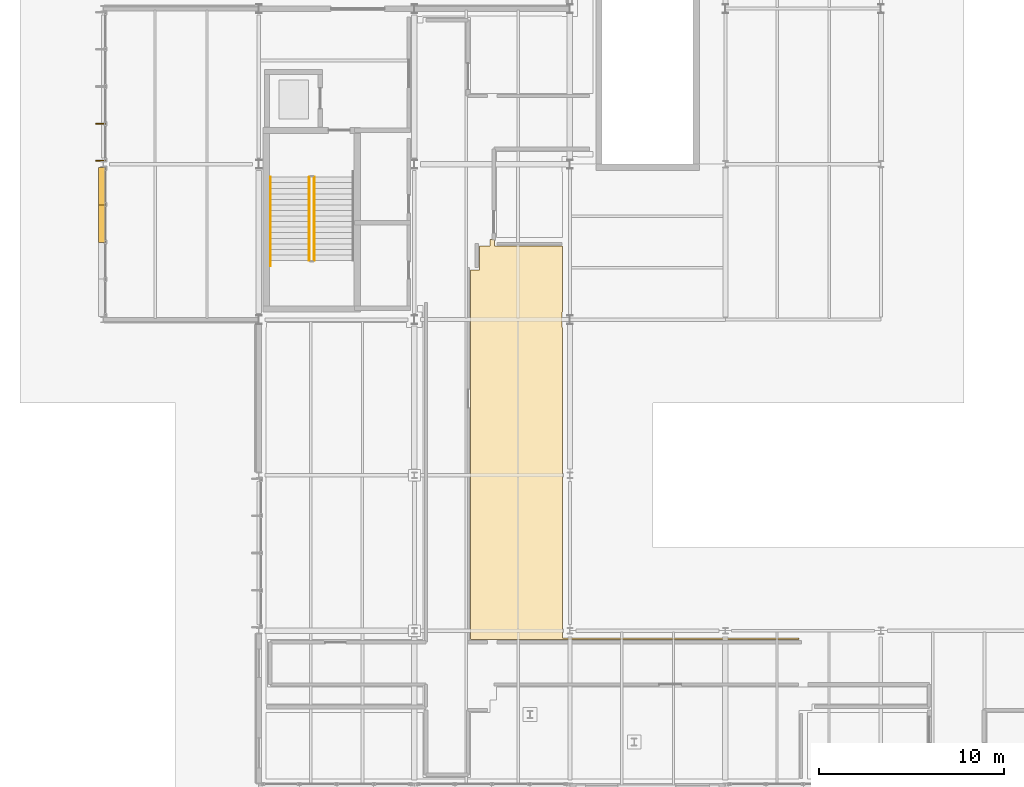
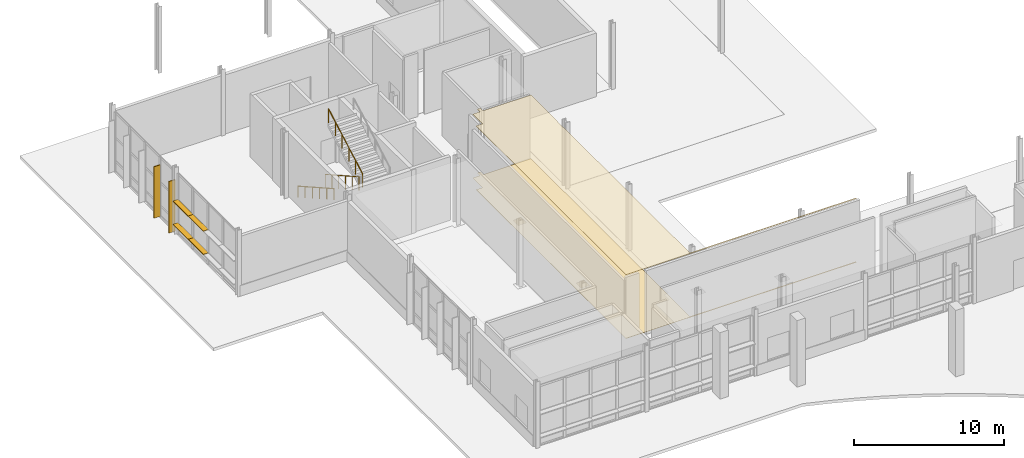
# One storey, part 108 of 124: 6 shading devices, 3 railings, 2 coverings.
"""IFC4 building model written with IfcOpenShell, lengths in metres."""

from ifc_helpers import new_model, si_unit, direction, frame, origin, origin_2d, place, context, subcontext, project, spatial, polyline, rectangle, circle, outline, extrude, material, layer, layer_set, type_object, element, save


model = new_model("IFC4")

# Units and contexts
model_context = context("Model", 3, precision=1e-05, world=origin(), true_north=direction((0.0, 1.0)))
body_context = subcontext(model_context, "Body", "Model", "MODEL_VIEW")
ifc_project = project(units=[si_unit("LENGTHUNIT", "METRE"), si_unit("AREAUNIT", "SQUARE_METRE"), si_unit("VOLUMEUNIT", "CUBIC_METRE"), si_unit("PLANEANGLEUNIT", "RADIAN"), si_unit("MASSUNIT", "GRAM", prefix="KILO")], contexts=[model_context])

# Site, building, storey
site_placement = place(None, origin())
site = spatial("IfcSite", under=ifc_project, at=site_placement, CompositionType="ELEMENT")
building_placement = place(site_placement, origin())
building = spatial("IfcBuilding", under=site, at=building_placement, Name="Mersafa Astral City Hall", CompositionType="ELEMENT")
storey_placement = place(building_placement, origin())
storey = spatial("IfcBuildingStorey", under=building, at=storey_placement, Name="L00", CompositionType="ELEMENT", Elevation=0.0)

# Shading devices
ifc_material_1 = material(Name="Anodised bronze aluminium solar fin", Category="aluminium")
shading_device_type_1 = type_object("IfcShadingDeviceType", Name="ENV-SHD-FIN-500B", PredefinedType="USERDEFINED", material=ifc_material_1)
for number, where, z_axis, x_axis, name in (
    (1, (-0.14501953125, 86.180908203125, -0.01513671875), (0.0, 0.0, 1.0), (0.0, -1.0, 0.0), "L00 Vertical bronze solar fin 230"),
    (2, (-0.14501953125, 84.19189453125, -0.01513671875), (0.0, 0.0, 1.0), (0.0, -1.0, 0.0), "L00 Vertical bronze solar fin 231"),
):
    element("IfcShadingDevice", number, at=place(storey_placement, frame(where, z_axis=z_axis, x_axis=x_axis)), inside=storey, type_object=shading_device_type_1, Name=name, ObjectType="FIN", PredefinedType="USERDEFINED", context=body_context, shape_type="SweptSolid", body=[
        extrude(rectangle(XDim=0.06005859375, YDim=0.5, at=origin_2d()), origin(), (0.0, 0.0, 1.0), 4.199951171875),
    ])
ifc_material_2 = material(Name="Kiln-dried cedar timber brise-soleil blade", Category="wood")
shading_device_type_2 = type_object("IfcShadingDeviceType", Name="ENV-SHD-LOUVRE-380", PredefinedType="JALOUSIE", material=ifc_material_2)
shading_device_1_placement = place(storey_placement, frame((-0.080078125, 82.8134765625, 0.81494140625), z_axis=(0.0, 0.0, 1.0), x_axis=(0.0, -1.0, 0.0)))
element("IfcShadingDevice", 3, at=shading_device_1_placement, inside=storey, type_object=shading_device_type_2, Name="L00 Horizontal cedar brise-soleil louvre 232", PredefinedType="JALOUSIE", context=body_context, shape_type="SweptSolid", body=[
    extrude(rectangle(XDim=2.029052734375, YDim=0.3798828125, at=origin_2d()), origin(), (0.0, 0.0, 1.0), 0.070068359375),
])
shading_device_2_placement = place(storey_placement, frame((-0.080078125, 80.8095703125, 0.81494140625), z_axis=(0.0, 0.0, 1.0), x_axis=(0.0, -1.0, 0.0)))
element("IfcShadingDevice", 4, at=shading_device_2_placement, inside=storey, type_object=shading_device_type_2, Name="L00 Horizontal cedar brise-soleil louvre 233", PredefinedType="JALOUSIE", context=body_context, shape_type="SweptSolid", body=[
    extrude(rectangle(XDim=2.05908203125, YDim=0.3798828125, at=origin_2d()), origin(), (0.0, 0.0, 1.0), 0.070068359375),
])
shading_device_3_placement = place(storey_placement, frame((-0.080078125, 82.8134765625, 2.71484375), z_axis=(0.0, 0.0, 1.0), x_axis=(0.0, -1.0, 0.0)))
element("IfcShadingDevice", 5, at=shading_device_3_placement, inside=storey, type_object=shading_device_type_2, Name="L00 Horizontal cedar brise-soleil louvre 236", PredefinedType="JALOUSIE", context=body_context, shape_type="SweptSolid", body=[
    extrude(rectangle(XDim=2.029052734375, YDim=0.3798828125, at=origin_2d()), origin(), (0.0, 0.0, 1.0), 0.070068359375),
])
shading_device_4_placement = place(storey_placement, frame((-0.080078125, 80.8095703125, 2.71484375), z_axis=(0.0, 0.0, 1.0), x_axis=(0.0, -1.0, 0.0)))
element("IfcShadingDevice", 6, at=shading_device_4_placement, inside=storey, type_object=shading_device_type_2, Name="L00 Horizontal cedar brise-soleil louvre 237", PredefinedType="JALOUSIE", context=body_context, shape_type="SweptSolid", body=[
    extrude(rectangle(XDim=2.05908203125, YDim=0.3798828125, at=origin_2d()), origin(), (0.0, 0.0, 1.0), 0.070068359375),
])

# Railings
ifc_material_3 = material(Name="Painted architectural steel stair guard balustrade", Category="steel")
railing_type_1 = type_object("IfcRailingType", Name="GUARD-RAIL", PredefinedType="BALUSTRADE", material=ifc_material_3)
railing_1_placement = place(storey_placement, frame((11.1298828125, 83.300048828125, 0.168701171875)))
element("IfcRailing", 7, at=railing_1_placement, inside=storey, type_object=railing_type_1, Name="L00 ST6 stair guard 1", PredefinedType="BALUSTRADE", context=body_context, shape_type="SweptSolid", body=[
    extrude(circle(Radius=0.02392578125, at=origin_2d()), frame((0.0, 0.0, 1.09619140625), z_axis=(0.0, -0.871575537125, 0.490261239633), x_axis=(1.0, 0.0, 0.0)), (0.0, 0.0, 1.0), 5.1630859375),
    extrude(circle(Radius=0.02099609375, at=origin_2d()), origin(), (0.0, 0.0, 1.0), 1.072021484375),
    extrude(circle(Radius=0.02099609375, at=origin_2d()), frame((0.0, -0.89990234375, 0.50634765625)), (0.0, 0.0, 1.0), 1.072021484375),
    extrude(circle(Radius=0.02099609375, at=origin_2d()), frame((0.0, -1.800048828125, 1.012451171875)), (0.0, 0.0, 1.0), 1.072021484375),
    extrude(circle(Radius=0.02099609375, at=origin_2d()), frame((0.0, -2.699951171875, 1.518798828125)), (0.0, 0.0, 1.0), 1.072021484375),
    extrude(circle(Radius=0.02099609375, at=origin_2d()), frame((0.0, -3.60009765625, 2.02490234375)), (0.0, 0.0, 1.0), 1.072021484375),
    extrude(circle(Radius=0.02099609375, at=origin_2d()), frame((0.0, -4.5, 2.53125)), (0.0, 0.0, 1.0), 1.072021484375),
])
railing_2_placement = place(storey_placement, frame((11.389892578125, 78.800048828125, 2.86865234375)))
element("IfcRailing", 8, at=railing_2_placement, inside=storey, type_object=railing_type_1, Name="L00 ST6 stair guard 3", PredefinedType="BALUSTRADE", context=body_context, shape_type="SweptSolid", body=[
    extrude(circle(Radius=0.02392578125, at=origin_2d()), frame((0.0, 0.0, 1.09619140625), z_axis=(0.0, 0.871575537125, 0.490261239633), x_axis=(-1.0, 0.0, 0.0)), (0.0, 0.0, 1.0), 5.1630859375),
    extrude(circle(Radius=0.02099609375, at=origin_2d()), origin(), (0.0, 0.0, 1.0), 1.072021484375),
    extrude(circle(Radius=0.02099609375, at=origin_2d()), frame((0.0, 0.89990234375, 0.50634765625)), (0.0, 0.0, 1.0), 1.072021484375),
    extrude(circle(Radius=0.02099609375, at=origin_2d()), frame((0.0, 1.800048828125, 1.012451171875)), (0.0, 0.0, 1.0), 1.072021484375),
    extrude(circle(Radius=0.02099609375, at=origin_2d()), frame((0.0, 2.699951171875, 1.518798828125)), (0.0, 0.0, 1.0), 1.072021484375),
    extrude(circle(Radius=0.02099609375, at=origin_2d()), frame((0.0, 3.60009765625, 2.02490234375)), (0.0, 0.0, 1.0), 1.072021484375),
    extrude(circle(Radius=0.02099609375, at=origin_2d()), frame((0.0, 4.5, 2.53125)), (0.0, 0.0, 1.0), 1.072021484375),
])
ifc_material_4 = material(Name="Brushed stainless steel tubular handrail", Category="steel")
railing_type_2 = type_object("IfcRailingType", Name="HANDRAIL", PredefinedType="HANDRAIL", material=ifc_material_4)
railing_3_placement = place(storey_placement, frame((9.030029296875, 83.300048828125, 0.168701171875)))
element("IfcRailing", 9, at=railing_3_placement, inside=storey, type_object=railing_type_2, Name="L00 ST6 stair handrail 1", PredefinedType="HANDRAIL", context=body_context, shape_type="SweptSolid", body=[
    extrude(circle(Radius=0.02392578125, at=origin_2d()), frame((0.0, 0.0, 0.8759765625), z_axis=(0.0, -0.871335168691, 0.49068831635), x_axis=(1.0, 0.0, 0.0)), (0.0, 0.0, 1.0), 5.5087890625),
    extrude(circle(Radius=0.02099609375, at=origin_2d()), origin(), (0.0, 0.0, 1.0), 0.851806640625),
    extrude(circle(Radius=0.02099609375, at=origin_2d()), frame((0.0, -0.9599609375, 0.54052734375)), (0.0, 0.0, 1.0), 0.851806640625),
    extrude(circle(Radius=0.02099609375, at=origin_2d()), frame((0.0, -1.919921875, 1.081298828125)), (0.0, 0.0, 1.0), 0.851806640625),
    extrude(circle(Radius=0.02099609375, at=origin_2d()), frame((0.0, -2.880126953125, 1.621826171875)), (0.0, 0.0, 1.0), 0.851806640625),
    extrude(circle(Radius=0.02099609375, at=origin_2d()), frame((0.0, -3.840087890625, 2.16259765625)), (0.0, 0.0, 1.0), 0.851806640625),
    extrude(circle(Radius=0.02099609375, at=origin_2d()), frame((0.0, -4.800048828125, 2.703125)), (0.0, 0.0, 1.0), 0.851806640625),
])

# Coverings
ifc_material_5 = material(Name="Slatted cedar timber acoustic baffle ceiling", Category="wood")
ifc_layer_1 = layer(ifc_material_5, 0.034912109375, Name="Slatted cedar timber acoustic baffle ceiling")
ifc_layer_set_1 = layer_set([ifc_layer_1], Name="Slatted cedar timber acoustic baffle ceiling — INT-COV-CEIL-35")
covering_type_1 = type_object("IfcCoveringType", Name="INT-COV-CEIL-35", PredefinedType="CEILING", material=ifc_layer_set_1)
covering_1_placement = place(storey_placement, frame((0.0, 0.0, 5.1708984375)))
element("IfcCovering", 10, at=covering_1_placement, inside=storey, type_object=covering_type_1, Name="L00 Municipal Licensing Counter Hall L00-12 acoustic ceiling", PredefinedType="CEILING", context=body_context, shape_type="SweptSolid", body=[
    extrude(outline(polyline([(20.8798828125, 79.570068359375), (20.8798828125, 79.919921875), (21.1201171875, 79.919921875), (21.1201171875, 79.570068359375), (24.800048828125, 79.570068359375), (24.800048828125, 76.02001953125), (24.780029296875, 76.02001953125), (24.780029296875, 75.179931640625), (24.800048828125, 75.179931640625), (24.800048828125, 58.39990234375), (37.570068359375, 58.39990234375), (37.570068359375, 58.320068359375), (19.840087890625, 58.320068359375), (19.840087890625, 78.280029296875), (20.320068359375, 78.280029296875), (20.320068359375, 79.570068359375), (20.8798828125, 79.570068359375)])), origin(), (0.0, 0.0, 1.0), 0.03515625),
])
ifc_material_6 = material(Name="Honed Cairo limestone terrazzo flooring", Category="masonry")
ifc_layer_2 = layer(ifc_material_6, 0.02001953125, Name="Honed Cairo limestone terrazzo flooring")
ifc_layer_set_2 = layer_set([ifc_layer_2], Name="Honed Cairo limestone terrazzo flooring — INT-COV-FLR-20")
covering_type_2 = type_object("IfcCoveringType", Name="INT-COV-FLR-20", PredefinedType="FLOORING", material=ifc_layer_set_2)
covering_2_placement = place(storey_placement, frame((0.0, 0.0, -0.00146484375)))
element("IfcCovering", 11, at=covering_2_placement, inside=storey, type_object=covering_type_2, Name="L00 Municipal Licensing Counter Hall L00-12 architectural flooring", PredefinedType="FLOORING", context=body_context, shape_type="SweptSolid", body=[
    extrude(outline(polyline([(20.8798828125, 79.570068359375), (20.8798828125, 79.919921875), (21.1201171875, 79.919921875), (21.1201171875, 79.570068359375), (24.800048828125, 79.570068359375), (24.800048828125, 76.02001953125), (24.780029296875, 76.02001953125), (24.780029296875, 75.179931640625), (24.800048828125, 75.179931640625), (24.800048828125, 58.39990234375), (37.570068359375, 58.39990234375), (37.570068359375, 58.320068359375), (19.840087890625, 58.320068359375), (19.840087890625, 78.280029296875), (20.320068359375, 78.280029296875), (20.320068359375, 79.570068359375), (20.8798828125, 79.570068359375)])), origin(), (0.0, 0.0, 1.0), 0.02001953125),
])

save(model, "model.ifc")
